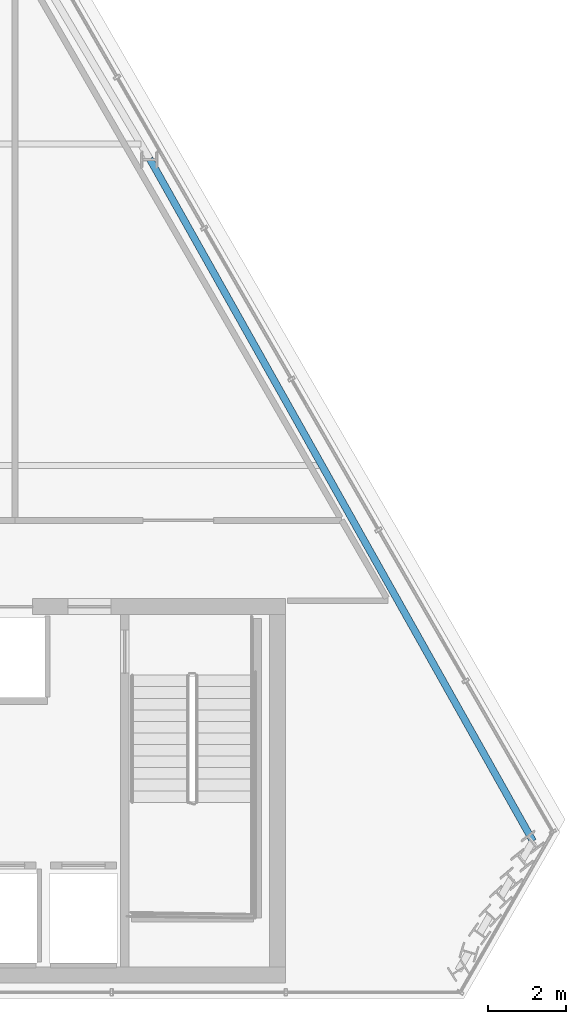
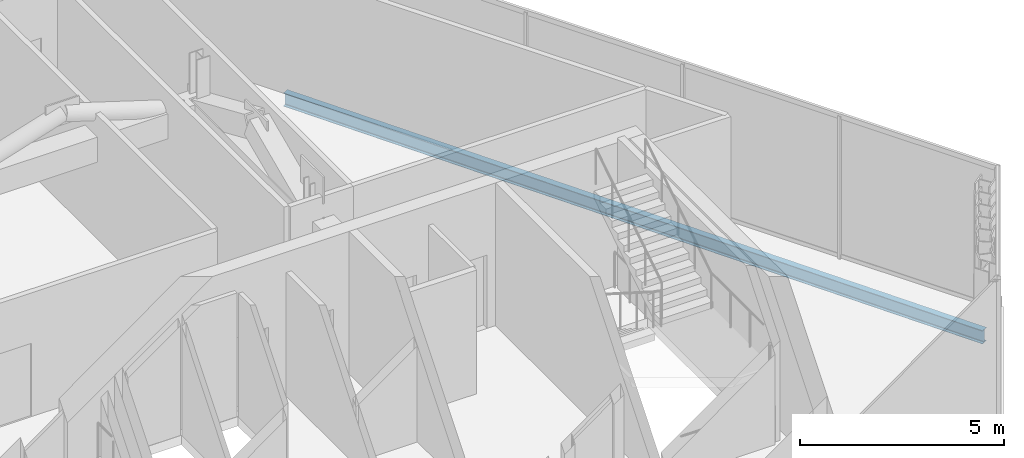
# One storey, part 22 of 32: 1 beam.
"""IFC4 building model written with IfcOpenShell, lengths in metres."""

from ifc_helpers import new_model, si_unit, direction, frame, origin, origin_2d, place, context, subcontext, project, spatial, i_section, extrude, material, material_profile, profile_set, type_object, element, save


model = new_model("IFC4")

# Units and contexts
model_context = context("Model", 3, precision=1e-05, world=origin(), true_north=direction((0.0, 1.0)))
body_context = subcontext(model_context, "Body", "Model", "MODEL_VIEW")
ifc_project = project(units=[si_unit("LENGTHUNIT", "METRE"), si_unit("AREAUNIT", "SQUARE_METRE"), si_unit("VOLUMEUNIT", "CUBIC_METRE"), si_unit("PLANEANGLEUNIT", "RADIAN"), si_unit("MASSUNIT", "GRAM", prefix="KILO")], contexts=[model_context])

# Site, building, storey
site_placement = place(None, origin())
site = spatial("IfcSite", under=ifc_project, at=site_placement, CompositionType="ELEMENT")
building_placement = place(site_placement, origin())
building = spatial("IfcBuilding", under=site, at=building_placement, Name="Ndaravel Arena Tower", CompositionType="ELEMENT")
storey_placement = place(building_placement, frame((0.0, 0.0, 278.800048828125)))
storey = spatial("IfcBuildingStorey", under=building, at=storey_placement, Name="L68", CompositionType="ELEMENT", Elevation=278.800048828125)

# Beam
ifc_material = material(Name="Steel S355", Category="steel")
ifc_material_profile = material_profile(ifc_material, i_section(OverallWidth=0.179931640625, OverallDepth=0.39990234375, WebThickness=0.008544921875, FlangeThickness=0.013427734375, FilletRadius=0.02099609375, at=origin_2d()), Name="IPE 400")
ifc_profile_set = profile_set([ifc_material_profile], Name="Steel S355")
beam_type = type_object("IfcBeamType", Name="BM-SPAN-IPE400", PredefinedType="SPANDREL", material=ifc_profile_set)
beam_placement = place(storey_placement, frame((63.8681640625, 9.01611328125, -0.47998046875), z_axis=(-0.489746157987, 0.871865070258, 0.0), x_axis=(-0.871865070258, -0.489746157987, 0.0)))
element("IfcBeam", 1, at=beam_placement, inside=storey, type_object=beam_type, Name="L68 Perimeter Spandrel Beam SP-09", PredefinedType="SPANDREL", context=body_context, shape_type="SweptSolid", body=[
    extrude(i_section(OverallWidth=0.179931640625, OverallDepth=0.39990234375, WebThickness=0.008544921875, FlangeThickness=0.013427734375, FilletRadius=0.02099609375, at=origin_2d()), origin(), (0.0, 0.0, 1.0), 19.964111328125),
])

save(model, "model.ifc")
